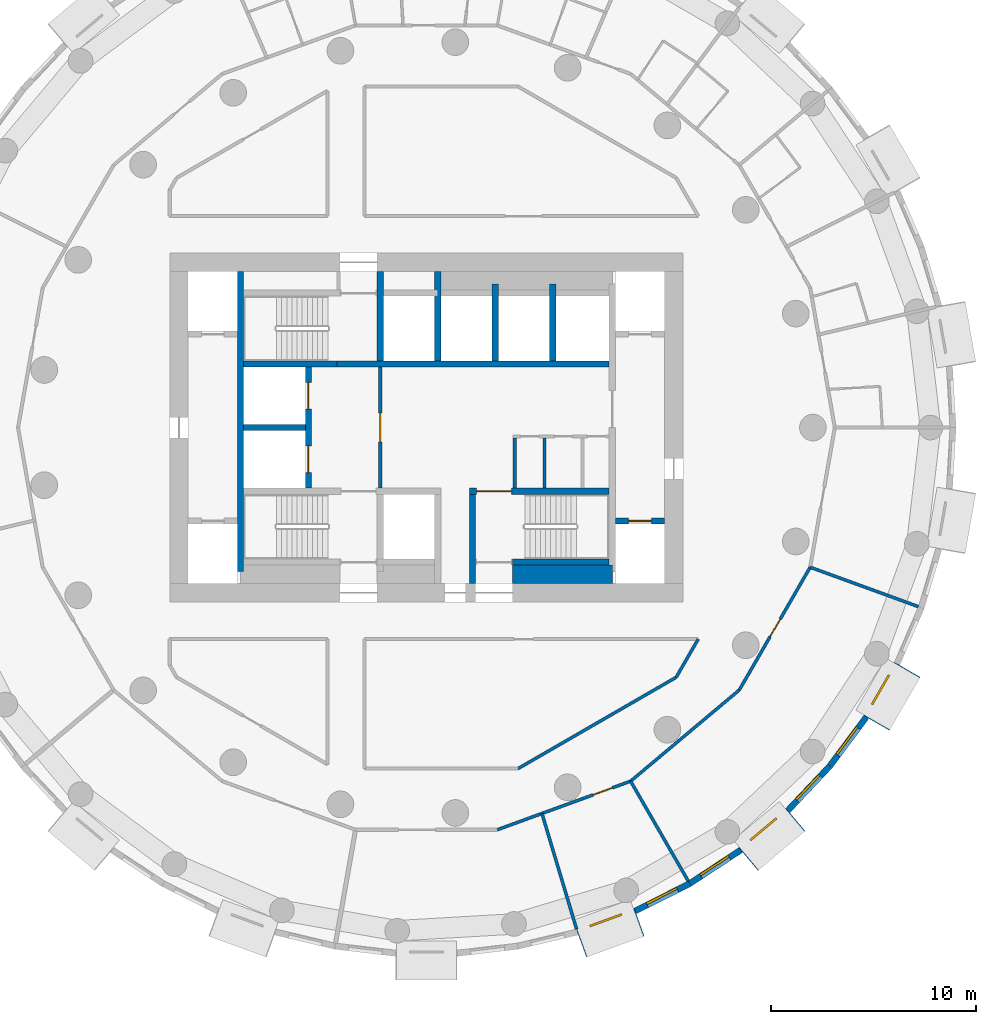
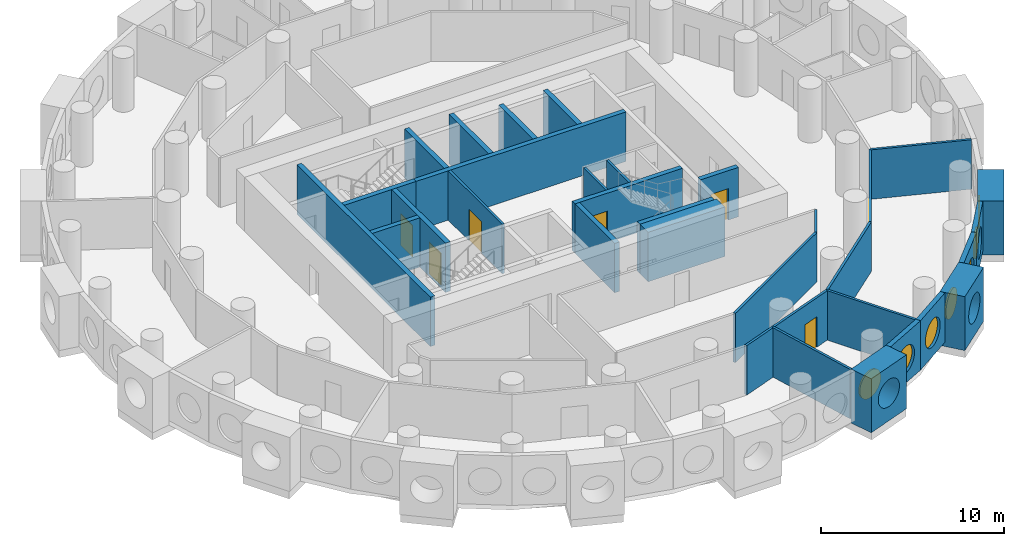
# One storey, part 4 of 10: 32 walls, 7 doors, 7 windows, 14 openings.
"""IFC4 building model written with IfcOpenShell, lengths in metres."""

import ifcopenshell
import ifcopenshell.guid

model = None  # the IFC model being written
_history = None  # IfcOwnerHistory: only IFC2X3 demands one
_inside = {}  # id of a spatial element -> (the spatial element, [elements in it])
_under = {}  # id of a project, library or spatial element -> (it, [spatial elements below it])
_declared = {}  # id of a project -> (the project, [libraries it declares])
_typed = {}  # id of a type object -> (the type object, [elements of that type])
_made_of = {}  # id of a material, layer set ... -> (it, [elements and type objects made of it])


def new_model(schema):
    """Start an empty IFC model of exactly this schema.

    Asked for "IFC4X3", IfcOpenShell would pick the latest addendum, in which some entities
    have other attributes; the version numbers below select the first issue.
    IFC2X3 requires an IfcOwnerHistory on every rooted entity: one is made here for all.
    """
    global model, _history
    if schema == "IFC4X3":
        model = ifcopenshell.file(schema_version=(4, 3, 0, 0))
    else:
        model = ifcopenshell.file(schema=schema)
    _inside.clear()
    _under.clear()
    _declared.clear()
    _typed.clear()
    _made_of.clear()
    _history = None
    if model.schema == "IFC2X3":
        org = make("IfcOrganization", Name="unknown")
        user = make(
            "IfcPersonAndOrganization",
            ThePerson=make("IfcPerson", FamilyName="unknown"),
            TheOrganization=org,
        )
        app = make(
            "IfcApplication",
            ApplicationDeveloper=org,
            Version="unknown",
            ApplicationFullName="unknown",
            ApplicationIdentifier="unknown",
        )
        _history = make(
            "IfcOwnerHistory",
            OwningUser=user,
            OwningApplication=app,
            ChangeAction="ADDED",
            CreationDate=0,
        )
    return model


def make(cls, **values):
    """One entity of the class cls with the attributes given. An attribute that is None is left unset."""
    return model.create_entity(
        cls, **{name: value for name, value in values.items() if value is not None}
    )


def rooted(cls, **values):
    """An entity with a GlobalId (a new one), such as an element, a storey or a relation."""
    return make(cls, GlobalId=ifcopenshell.guid.new(), OwnerHistory=_history, **values)


def si_unit(unit_type, name, prefix=None):
    """IfcSIUnit, for example si_unit("LENGTHUNIT", "METRE", prefix="MILLI")."""
    return make("IfcSIUnit", UnitType=unit_type, Prefix=prefix, Name=name)


def assignment(units):
    """IfcUnitAssignment: the units of a project."""
    return None if units is None else make("IfcUnitAssignment", Units=units)


def point(xyz):
    """IfcCartesianPoint."""
    return None if xyz is None else make("IfcCartesianPoint", Coordinates=xyz)


def direction(xyz):
    """IfcDirection."""
    return None if xyz is None else make("IfcDirection", DirectionRatios=xyz)


def frame(location, z_axis=None, x_axis=None):
    """IfcAxis2Placement3D, a coordinate frame: its origin and axes. An axis left out is left unset."""
    return make(
        "IfcAxis2Placement3D",
        Location=point(location),
        Axis=direction(z_axis),
        RefDirection=direction(x_axis),
    )


def frame_2d(location, x_axis=None):
    """IfcAxis2Placement2D, a coordinate frame in the plane: its origin and x axis."""
    return make(
        "IfcAxis2Placement2D", Location=point(location), RefDirection=direction(x_axis)
    )


def origin():
    """The frame at (0, 0, 0) with its axes left unset."""
    return frame((0.0, 0.0, 0.0))


def origin_2d():
    """The frame at (0, 0) in the plane with its x axis left unset."""
    return frame_2d((0.0, 0.0))


def place(relative_to, where):
    """IfcLocalPlacement: puts the frame where relative to a parent placement (None: the world)."""
    return make(
        "IfcLocalPlacement", PlacementRelTo=relative_to, RelativePlacement=where
    )


def context(
    kind, dimensions, precision=None, world=None, true_north=None, identifier=None
):
    """IfcGeometricRepresentationContext, for example the 3D "Model" context."""
    return make(
        "IfcGeometricRepresentationContext",
        ContextIdentifier=identifier,
        ContextType=kind,
        CoordinateSpaceDimension=dimensions,
        Precision=precision,
        WorldCoordinateSystem=world,
        TrueNorth=true_north,
    )


def subcontext(parent, identifier, kind, view, scale=None):
    """IfcGeometricRepresentationSubContext, for example "Body" below "Model"."""
    return make(
        "IfcGeometricRepresentationSubContext",
        ContextIdentifier=identifier,
        ContextType=kind,
        ParentContext=parent,
        TargetScale=scale,
        TargetView=view,
    )


def project(units=None, contexts=None):
    """IfcProject with its units and contexts."""
    return rooted(
        "IfcProject",
        Name="project",
        RepresentationContexts=contexts,
        UnitsInContext=assignment(units),
    )


def spatial(cls, under=None, at=None, **own):
    """A site, building, storey or space (cls), placed at a placement, below another one or the project."""
    s = rooted(cls, ObjectPlacement=at, **own)
    if under is not None:
        _under.setdefault(under.id(), (under, []))[1].append(s)
    return s


def profile(cls, at=None, kind="AREA", **sizes):
    """A parametric profile (cls). Its sizes go by their IFC names, for example OverallWidth=200.0."""
    return make(cls, ProfileType=kind, Position=at, **sizes)


def rectangle(**sizes):
    """IfcRectangleProfileDef."""
    return profile("IfcRectangleProfileDef", **sizes)


def circle(**sizes):
    """IfcCircleProfileDef."""
    return profile("IfcCircleProfileDef", **sizes)


def extrude(swept, where, along, depth):
    """IfcExtrudedAreaSolid: the profile swept, set in the frame where, extruded along a direction by depth."""
    return make(
        "IfcExtrudedAreaSolid",
        SweptArea=swept,
        Position=where,
        ExtrudedDirection=direction(along),
        Depth=depth,
    )


def shape(context_of_items, identifier, shape_type, items):
    """IfcShapeRepresentation: the items that make up one representation, for example the "Body"."""
    return make(
        "IfcShapeRepresentation",
        ContextOfItems=context_of_items,
        RepresentationIdentifier=identifier,
        RepresentationType=shape_type,
        Items=items,
    )


def material(Name=None, Category=None):
    """IfcMaterial."""
    return make("IfcMaterial", Name=Name, Category=Category)


def layer(
    of_material, thickness, ventilated=None, Name=None, Category=None, Priority=None
):
    """IfcMaterialLayer: one layer of a wall or slab, of a material (None: an air gap)."""
    return make(
        "IfcMaterialLayer",
        Material=of_material,
        LayerThickness=thickness,
        IsVentilated=ventilated,
        Name=Name,
        Category=Category,
        Priority=Priority,
    )


def layer_set(layers, Name=None):
    """IfcMaterialLayerSet."""
    return make("IfcMaterialLayerSet", MaterialLayers=layers, LayerSetName=Name)


def made_of(thing, what):
    """Note that an element or type object is made of a material, layer set ...; save() writes the relation."""
    if what is not None:
        _made_of.setdefault(what.id(), (what, []))[1].append(thing)
    return thing


def type_object(cls, material=None, **own):
    """A type object (cls), such as IfcWallType, which elements share."""
    return made_of(rooted(cls, **own), material)


def element(
    cls,
    number,
    at=None,
    inside=None,
    cuts=None,
    type_object=None,
    material=None,
    context=None,
    identifier="Body",
    shape_type=None,
    held_by="IfcProductDefinitionShape",
    body=None,
    shapes=None,
    **own,
):
    """One element of the class cls, such as IfcWall. Its Tag is "e" and its number.

    at: its placement. inside: the storey or other place that contains it. cuts: it is an
    opening in that element (IfcRelVoidsElement). A single representation is given by context,
    identifier, shape_type and body (its items); several are given by shapes. held_by: the class
    of the entity that holds the representations. save() writes the other relations.
    """
    e = rooted(cls, Tag="e%d" % number, ObjectPlacement=at, **own)
    if body is not None:
        shapes = [shape(context, identifier, shape_type, body)]
    if shapes is not None:
        e.Representation = make(held_by, Representations=shapes)
    if inside is not None:
        _inside.setdefault(inside.id(), (inside, []))[1].append(e)
    if cuts is not None:
        rooted(
            "IfcRelVoidsElement", RelatingBuildingElement=cuts, RelatedOpeningElement=e
        )
    if type_object is not None:
        _typed.setdefault(type_object.id(), (type_object, []))[1].append(e)
    return made_of(e, material)


def fill(opening, filler):
    """IfcRelFillsElement: the door or window that sits in an opening."""
    return rooted(
        "IfcRelFillsElement",
        RelatingOpeningElement=opening,
        RelatedBuildingElement=filler,
    )


def aggregate(whole, parts):
    """IfcRelAggregates: a whole, such as a stair, and the parts it consists of."""
    return rooted("IfcRelAggregates", RelatingObject=whole, RelatedObjects=parts)


def save(model, path):
    """Write the relations noted so far, then the file.

    IfcRelAggregates (storeys below a building ...), IfcRelContainedInSpatialStructure (elements
    in a storey), IfcRelDefinesByType, IfcRelAssociatesMaterial and IfcRelDeclares: one each for
    every whole, place, type object, material and project.
    """
    for whole, parts in _under.values():
        aggregate(whole, parts)
    for where, things in _inside.values():
        rooted(
            "IfcRelContainedInSpatialStructure",
            RelatedElements=things,
            RelatingStructure=where,
        )
    for kind, things in _typed.values():
        rooted("IfcRelDefinesByType", RelatedObjects=things, RelatingType=kind)
    for what, things in _made_of.values():
        rooted("IfcRelAssociatesMaterial", RelatedObjects=things, RelatingMaterial=what)
    for by, libraries in _declared.values():
        rooted("IfcRelDeclares", RelatingContext=by, RelatedDefinitions=libraries)
    model.write(path)


model = new_model("IFC4")

# Units and contexts
model_context = context("Model", 3, precision=1e-05, world=origin(), true_north=direction((0.0, 1.0)))
body_context = subcontext(model_context, "Body", "Model", "MODEL_VIEW")
ifc_project = project(units=[si_unit("LENGTHUNIT", "METRE"), si_unit("AREAUNIT", "SQUARE_METRE"), si_unit("VOLUMEUNIT", "CUBIC_METRE"), si_unit("PLANEANGLEUNIT", "RADIAN"), si_unit("MASSUNIT", "GRAM", prefix="KILO")], contexts=[model_context])

# Site, building, storey
site_placement = place(None, origin())
site = spatial("IfcSite", under=ifc_project, at=site_placement, CompositionType="ELEMENT")
building_placement = place(site_placement, origin())
building = spatial("IfcBuilding", under=site, at=building_placement, Name="Tracery Tower", CompositionType="ELEMENT")
storey_placement = place(building_placement, frame((0.0, 0.0, 158.39990234375)))
storey = spatial("IfcBuildingStorey", under=building, at=storey_placement, Name="L40", CompositionType="ELEMENT", Elevation=158.39990234375)

# Wall, opening, door
ifc_material_1 = material(Name="Plasterboard on steel studs", Category="steel")
ifc_layer_1 = layer(ifc_material_1, 0.14990234375)
ifc_layer_set_1 = layer_set([ifc_layer_1], Name="Core lobby partition 150")
wall_type_1 = type_object("IfcWallType", Name="Core lobby partition 150", PredefinedType="SOLIDWALL", material=ifc_layer_set_1)
wall_1_placement = place(storey_placement, frame((-2.25, -2.949951171875, 0.0), z_axis=(0.0, 0.0, 1.0), x_axis=(0.0, 1.0, 0.0)))
wall_1 = element("IfcWall", 1, at=wall_1_placement, inside=storey, type_object=wall_type_1, Name="L40 FF lobby E", PredefinedType="SOLIDWALL", context=body_context, shape_type="SweptSolid", body=[
    extrude(rectangle(XDim=5.89990234375, YDim=0.14990234375, at=frame_2d((2.949951171875, 0.0))), origin(), (0.0, 0.0, 1.0), 3.300048828125),
])
opening_1_placement = place(wall_1_placement, frame((2.25, 0.0, 0.0)))
opening_1 = element("IfcOpeningElement", 2, at=opening_1_placement, cuts=wall_1, Name="Opening KD8", PredefinedType="OPENING", context=body_context, shape_type="SweptSolid", body=[
    extrude(rectangle(XDim=1.39990234375, YDim=2.10009765625, at=frame_2d((0.699951171875, 1.050048828125))), frame((0.0, 0.074951171875, 0.0), z_axis=(0.0, -1.0, 0.0), x_axis=(1.0, 0.0, 0.0)), (0.0, 0.0, 1.0), 0.14990234375),
])
ifc_material_2 = material(Name="Steel fire door", Category="steel")
door_type_1 = type_object("IfcDoorType", Name="Core lobby door 1400 double", OperationType="NOTDEFINED", PredefinedType="DOOR", material=ifc_material_2)
door_1_placement = place(opening_1_placement, origin())
door_1 = element("IfcDoor", 3, at=door_1_placement, inside=storey, type_object=door_type_1, Name="Fire-fighting lobby door", OperationType="DOUBLE_DOOR_SINGLE_SWING", OverallHeight=2.10009765625, OverallWidth=1.39990234375, PredefinedType="DOOR", context=body_context, shape_type="SweptSolid", body=[
    extrude(rectangle(XDim=1.39990234375, YDim=2.10009765625, at=frame_2d((0.699951171875, 1.050048828125))), frame((0.0, 0.02490234375, 0.0), z_axis=(0.0, -1.0, 0.0), x_axis=(1.0, 0.0, 0.0)), (0.0, 0.0, 1.0), 0.050048828125),
])
fill(opening_1, door_1)

# Walls
ifc_material_3 = material(Name="Plasterboard on steel studs", Category="steel")
ifc_layer_2 = layer(ifc_material_3, 0.14990234375)
ifc_layer_set_2 = layer_set([ifc_layer_2], Name="Core room partition 150")
wall_type_2 = type_object("IfcWallType", Name="Core room partition 150", PredefinedType="SOLIDWALL", material=ifc_layer_set_2)
for number, where, z_axis, x_axis, name in (
    (4, (4.300048828125, -2.949951171875, 0.0), (0.0, 0.0, 1.0), (0.0, 1.0, 0.0), "L40 slot W"),
    (5, (5.75, -2.949951171875, 0.0), (0.0, 0.0, 1.0), (0.0, 1.0, 0.0), "L40 slot sep 1"),
):
    element("IfcWall", number, at=place(storey_placement, frame(where, z_axis=z_axis, x_axis=x_axis)), inside=storey, type_object=wall_type_2, Name=name, PredefinedType="SOLIDWALL", context=body_context, shape_type="SweptSolid", body=[
        extrude(rectangle(XDim=2.449951171875, YDim=0.14990234375, at=frame_2d((1.22509765625, 0.0))), origin(), (0.0, 0.0, 1.0), 3.300048828125),
    ])
ifc_material_4 = material(Name="Concrete C50/60", Category="concrete")
ifc_layer_3 = layer(ifc_material_4, 0.89990234375)
ifc_layer_set_3 = layer_set([ifc_layer_3], Name="Core strip wall 900 C50")
wall_type_3 = type_object("IfcWallType", Name="Core strip wall 900 C50", PredefinedType="SOLIDWALL", material=ifc_layer_set_3)
wall_2_placement = place(storey_placement, frame((4.199951171875, -7.14990234375, 0.0), z_axis=(0.0, 0.0, 1.0), x_axis=(1.0, 0.0, 0.0)))
element("IfcWall", 6, at=wall_2_placement, inside=storey, type_object=wall_type_3, Name="L40 F thick S E", PredefinedType="SOLIDWALL", context=body_context, shape_type="SweptSolid", body=[
    extrude(rectangle(XDim=4.85009765625, YDim=0.89990234375, at=frame_2d((2.425048828125, 0.0))), origin(), (0.0, 0.0, 1.0), 3.300048828125),
])

# Wall, opening, window
ifc_material_5 = material(Name="Precast concrete C50/60", Category="concrete")
ifc_layer_4 = layer(ifc_material_5, 1.449951171875)
ifc_layer_set_4 = layer_set([ifc_layer_4], Name="Deep-set bay unit 3000 x 3600, slab edge 300")
wall_type_4 = type_object("IfcWallType", Name="Deep-set bay unit 3000 x 3600, slab edge 300", PredefinedType="ELEMENTEDWALL", material=ifc_layer_set_4)
wall_3_placement = place(storey_placement, frame((7.544189453125, -25.11328125, -0.2998046875), z_axis=(0.0, 0.0, 1.0), x_axis=(0.939686455819, 0.342037080957, 0.0)))
wall_3 = element("IfcWall", 7, at=wall_3_placement, inside=storey, type_object=wall_type_4, Name="Deep-set bay unit 44 at L40", PredefinedType="ELEMENTEDWALL", context=body_context, shape_type="SweptSolid", body=[
    extrude(rectangle(XDim=3.0, YDim=1.449951171875, at=frame_2d((1.5, 0.0))), origin(), (0.0, 0.0, 1.0), 3.599853515625),
])
opening_2_placement = place(wall_3_placement, frame((1.5, 0.0, 1.85009765625)))
opening_2 = element("IfcOpeningElement", 8, at=opening_2_placement, cuts=wall_3, Name="Opening WN1", PredefinedType="OPENING", context=body_context, shape_type="SweptSolid", body=[
    extrude(circle(Radius=0.9000244140625, at=origin_2d()), frame((0.0, 0.73486328125, 0.0), z_axis=(0.0, -1.0, 0.0), x_axis=(1.0, 0.0, 0.0)), (0.0, 0.0, 1.0), 1.469970703125),
])
ifc_material_6 = material(Name="Aluminium frame with tinted double glazing", Category="aluminium")
window_type = type_object("IfcWindowType", Name="Round window 1800", PartitioningType="SINGLE_PANEL", PredefinedType="WINDOW", material=ifc_material_6)
window_1_placement = place(opening_2_placement, origin())
window_1 = element("IfcWindow", 9, at=window_1_placement, inside=storey, type_object=window_type, Name="Round window 44 at L40", OverallHeight=1.800048828125, OverallWidth=1.800048828125, PartitioningType="SINGLE_PANEL", PredefinedType="WINDOW", context=body_context, shape_type="SweptSolid", body=[
    extrude(circle(Radius=0.9000244140625, at=origin_2d()), frame((0.0, 0.69482421875, 0.0), z_axis=(0.0, -1.0, 0.0), x_axis=(1.0, 0.0, 0.0)), (0.0, 0.0, 1.0), 0.10009765625),
])
fill(opening_2, window_1)

wall_4_placement = place(storey_placement, frame((15.678466796875, -21.0185546875, -0.2998046875), z_axis=(0.0, 0.0, 1.0), x_axis=(0.766022196139, 0.642814121673, 0.0)))
wall_4 = element("IfcWall", 10, at=wall_4_placement, inside=storey, type_object=wall_type_4, Name="Deep-set bay unit 47 at L40", PredefinedType="ELEMENTEDWALL", context=body_context, shape_type="SweptSolid", body=[
    extrude(rectangle(XDim=3.0, YDim=1.449951171875, at=frame_2d((1.5, 0.0))), origin(), (0.0, 0.0, 1.0), 3.599853515625),
])
opening_3_placement = place(wall_4_placement, frame((1.5, 0.0, 1.85009765625)))
opening_3 = element("IfcOpeningElement", 11, at=opening_3_placement, cuts=wall_4, Name="Opening WN1", PredefinedType="OPENING", context=body_context, shape_type="SweptSolid", body=[
    extrude(circle(Radius=0.9000244140625, at=origin_2d()), frame((0.0, 0.73486328125, 0.0), z_axis=(0.0, -1.0, 0.0), x_axis=(1.0, 0.0, 0.0)), (0.0, 0.0, 1.0), 1.469970703125),
])
window_2_placement = place(opening_3_placement, origin())
window_2 = element("IfcWindow", 12, at=window_2_placement, inside=storey, type_object=window_type, Name="Round window 47 at L40", OverallHeight=1.800048828125, OverallWidth=1.800048828125, PartitioningType="SINGLE_PANEL", PredefinedType="WINDOW", context=body_context, shape_type="SweptSolid", body=[
    extrude(circle(Radius=0.9000244140625, at=origin_2d()), frame((0.0, 0.69482421875, 0.0), z_axis=(0.0, -1.0, 0.0), x_axis=(1.0, 0.0, 0.0)), (0.0, 0.0, 1.0), 0.10009765625),
])
fill(opening_3, window_2)

wall_5_placement = place(storey_placement, frame((21.921630859375, -14.388671875, -0.2998046875), z_axis=(0.0, 0.0, 1.0), x_axis=(0.499990139034, 0.866031096941, 0.0)))
wall_5 = element("IfcWall", 13, at=wall_5_placement, inside=storey, type_object=wall_type_4, Name="Deep-set bay unit 50 at L40", PredefinedType="ELEMENTEDWALL", context=body_context, shape_type="SweptSolid", body=[
    extrude(rectangle(XDim=3.0, YDim=1.449951171875, at=frame_2d((1.5, 0.0))), origin(), (0.0, 0.0, 1.0), 3.599853515625),
])
opening_4_placement = place(wall_5_placement, frame((1.5, 0.0, 1.85009765625)))
opening_4 = element("IfcOpeningElement", 14, at=opening_4_placement, cuts=wall_5, Name="Opening WN1", PredefinedType="OPENING", context=body_context, shape_type="SweptSolid", body=[
    extrude(circle(Radius=0.9000244140625, at=origin_2d()), frame((0.0, 0.73486328125, 0.0), z_axis=(0.0, -1.0, 0.0), x_axis=(1.0, 0.0, 0.0)), (0.0, 0.0, 1.0), 1.469970703125),
])
window_3_placement = place(opening_4_placement, origin())
window_3 = element("IfcWindow", 15, at=window_3_placement, inside=storey, type_object=window_type, Name="Round window 50 at L40", OverallHeight=1.800048828125, OverallWidth=1.800048828125, PartitioningType="SINGLE_PANEL", PredefinedType="WINDOW", context=body_context, shape_type="SweptSolid", body=[
    extrude(circle(Radius=0.9000244140625, at=origin_2d()), frame((0.0, 0.69482421875, 0.0), z_axis=(0.0, -1.0, 0.0), x_axis=(1.0, 0.0, 0.0)), (0.0, 0.0, 1.0), 0.10009765625),
])
fill(opening_4, window_3)

ifc_material_7 = material(Name="Precast concrete C50/60", Category="concrete")
ifc_layer_5 = layer(ifc_material_7, 0.300048828125)
ifc_layer_set_5 = layer_set([ifc_layer_5], Name="Facade panel 3000 x 3300")
wall_type_5 = type_object("IfcWallType", Name="Facade panel 3000 x 3300", PredefinedType="SOLIDWALL", material=ifc_layer_set_5)
wall_6_placement = place(storey_placement, frame((10.1669921875, -23.545654296875, 0.0), z_axis=(0.0, 0.0, 1.0), x_axis=(0.893637442555, 0.448789618045, 0.0)))
wall_6 = element("IfcWall", 16, at=wall_6_placement, inside=storey, type_object=wall_type_5, Name="Facade panel 45 at L40", PredefinedType="SOLIDWALL", context=body_context, shape_type="SweptSolid", body=[
    extrude(rectangle(XDim=2.972900390625, YDim=0.300048828125, at=frame_2d((1.486328125, 0.0))), origin(), (0.0, 0.0, 1.0), 3.300048828125),
])
opening_5_placement = place(wall_6_placement, frame((1.486328125, 0.0, 1.5498046875)))
opening_5 = element("IfcOpeningElement", 17, at=opening_5_placement, cuts=wall_6, Name="Opening WN1", PredefinedType="OPENING", context=body_context, shape_type="SweptSolid", body=[
    extrude(circle(Radius=0.9000244140625, at=origin_2d()), frame((0.0, 0.159912109375, 0.0), z_axis=(0.0, -1.0, 0.0), x_axis=(1.0, 0.0, 0.0)), (0.0, 0.0, 1.0), 0.320068359375),
])
window_4_placement = place(opening_5_placement, origin())
window_4 = element("IfcWindow", 18, at=window_4_placement, inside=storey, type_object=window_type, Name="Round window 45 at L40", OverallHeight=1.800048828125, OverallWidth=1.800048828125, PartitioningType="SINGLE_PANEL", PredefinedType="WINDOW", context=body_context, shape_type="SweptSolid", body=[
    extrude(circle(Radius=0.9000244140625, at=origin_2d()), frame((0.0, 0.1201171875, 0.0), z_axis=(0.0, -1.0, 0.0), x_axis=(1.0, 0.0, 0.0)), (0.0, 0.0, 1.0), 0.10009765625),
])
fill(opening_5, window_4)

wall_7_placement = place(storey_placement, frame((12.82373046875, -22.21142578125, 0.0), z_axis=(0.0, 0.0, 1.0), x_axis=(0.835470659512, 0.549535055382, 0.0)))
wall_7 = element("IfcWall", 19, at=wall_7_placement, inside=storey, type_object=wall_type_5, Name="Facade panel 46 at L40", PredefinedType="SOLIDWALL", context=body_context, shape_type="SweptSolid", body=[
    extrude(rectangle(XDim=2.97314453125, YDim=0.300048828125, at=frame_2d((1.486572265625, 0.0))), origin(), (0.0, 0.0, 1.0), 3.300048828125),
])
opening_6_placement = place(wall_7_placement, frame((1.486328125, 0.0, 1.5498046875)))
opening_6 = element("IfcOpeningElement", 20, at=opening_6_placement, cuts=wall_7, Name="Opening WN1", PredefinedType="OPENING", context=body_context, shape_type="SweptSolid", body=[
    extrude(circle(Radius=0.9000244140625, at=origin_2d()), frame((0.0, 0.159912109375, 0.0), z_axis=(0.0, -1.0, 0.0), x_axis=(1.0, 0.0, 0.0)), (0.0, 0.0, 1.0), 0.320068359375),
])
window_5_placement = place(opening_6_placement, origin())
window_5 = element("IfcWindow", 21, at=window_5_placement, inside=storey, type_object=window_type, Name="Round window 46 at L40", OverallHeight=1.800048828125, OverallWidth=1.800048828125, PartitioningType="SINGLE_PANEL", PredefinedType="WINDOW", context=body_context, shape_type="SweptSolid", body=[
    extrude(circle(Radius=0.9000244140625, at=origin_2d()), frame((0.0, 0.1201171875, 0.0), z_axis=(0.0, -1.0, 0.0), x_axis=(1.0, 0.0, 0.0)), (0.0, 0.0, 1.0), 0.10009765625),
])
fill(opening_6, window_5)

wall_8_placement = place(storey_placement, frame((17.60693359375, -18.648193359375, 0.0), z_axis=(0.0, 0.0, 1.0), x_axis=(0.686235184166, 0.727379730273, 0.0)))
wall_8 = element("IfcWall", 22, at=wall_8_placement, inside=storey, type_object=wall_type_5, Name="Facade panel 48 at L40", PredefinedType="SOLIDWALL", context=body_context, shape_type="SweptSolid", body=[
    extrude(rectangle(XDim=2.972900390625, YDim=0.300048828125, at=frame_2d((1.486328125, 0.0))), origin(), (0.0, 0.0, 1.0), 3.300048828125),
])
opening_7_placement = place(wall_8_placement, frame((1.486328125, 0.0, 1.5498046875)))
opening_7 = element("IfcOpeningElement", 23, at=opening_7_placement, cuts=wall_8, Name="Opening WN1", PredefinedType="OPENING", context=body_context, shape_type="SweptSolid", body=[
    extrude(circle(Radius=0.9000244140625, at=origin_2d()), frame((0.0, 0.159912109375, 0.0), z_axis=(0.0, -1.0, 0.0), x_axis=(1.0, 0.0, 0.0)), (0.0, 0.0, 1.0), 0.320068359375),
])
window_6_placement = place(opening_7_placement, origin())
window_6 = element("IfcWindow", 24, at=window_6_placement, inside=storey, type_object=window_type, Name="Round window 48 at L40", OverallHeight=1.800048828125, OverallWidth=1.800048828125, PartitioningType="SINGLE_PANEL", PredefinedType="WINDOW", context=body_context, shape_type="SweptSolid", body=[
    extrude(circle(Radius=0.9000244140625, at=origin_2d()), frame((0.0, 0.1201171875, 0.0), z_axis=(0.0, -1.0, 0.0), x_axis=(1.0, 0.0, 0.0)), (0.0, 0.0, 1.0), 0.10009765625),
])
fill(opening_7, window_6)

wall_9_placement = place(storey_placement, frame((19.64697265625, -16.48583984375, 0.0), z_axis=(0.0, 0.0, 1.0), x_axis=(0.597197580538, 0.80209416517, 0.0)))
wall_9 = element("IfcWall", 25, at=wall_9_placement, inside=storey, type_object=wall_type_5, Name="Facade panel 49 at L40", PredefinedType="SOLIDWALL", context=body_context, shape_type="SweptSolid", body=[
    extrude(rectangle(XDim=2.972900390625, YDim=0.300048828125, at=frame_2d((1.486328125, 0.0))), origin(), (0.0, 0.0, 1.0), 3.300048828125),
])
opening_8_placement = place(wall_9_placement, frame((1.486328125, 0.0, 1.5498046875)))
opening_8 = element("IfcOpeningElement", 26, at=opening_8_placement, cuts=wall_9, Name="Opening WN1", PredefinedType="OPENING", context=body_context, shape_type="SweptSolid", body=[
    extrude(circle(Radius=0.9000244140625, at=origin_2d()), frame((0.0, 0.159912109375, 0.0), z_axis=(0.0, -1.0, 0.0), x_axis=(1.0, 0.0, 0.0)), (0.0, 0.0, 1.0), 0.320068359375),
])
window_7_placement = place(opening_8_placement, origin())
window_7 = element("IfcWindow", 27, at=window_7_placement, inside=storey, type_object=window_type, Name="Round window 49 at L40", OverallHeight=1.800048828125, OverallWidth=1.800048828125, PartitioningType="SINGLE_PANEL", PredefinedType="WINDOW", context=body_context, shape_type="SweptSolid", body=[
    extrude(circle(Radius=0.9000244140625, at=origin_2d()), frame((0.0, 0.1201171875, 0.0), z_axis=(0.0, -1.0, 0.0), x_axis=(1.0, 0.0, 0.0)), (0.0, 0.0, 1.0), 0.10009765625),
])
fill(opening_8, window_7)

# Walls
ifc_material_8 = material(Name="Plasterboard on steel studs", Category="steel")
ifc_layer_6 = layer(ifc_material_8, 0.14990234375)
ifc_layer_set_6 = layer_set([ifc_layer_6], Name="Partition 150 acoustic unit wall")
wall_type_6 = type_object("IfcWallType", Name="Partition 150 acoustic unit wall", PredefinedType="PARTITIONING", material=ifc_layer_set_6)
wall_10_placement = place(storey_placement, frame((5.626953125, -18.794921875, 0.0), z_axis=(0.0, 0.0, 1.0), x_axis=(0.286833432865, -0.957980470464, 0.0)))
element("IfcWall", 28, at=wall_10_placement, inside=storey, type_object=wall_type_6, Name="Unit wall RB4-073", PredefinedType="PARTITIONING", context=body_context, shape_type="SweptSolid", body=[
    extrude(rectangle(XDim=5.878173828125, YDim=0.14990234375, at=frame_2d((2.93896484375, 0.0))), origin(), (0.0, 0.0, 1.0), 3.300048828125),
])
wall_11_placement = place(storey_placement, frame((9.944091796875, -17.222900390625, 0.0), z_axis=(0.0, 0.0, 1.0), x_axis=(0.500010020406, -0.866019618423, 0.0)))
element("IfcWall", 29, at=wall_11_placement, inside=storey, type_object=wall_type_6, Name="Unit wall RB4-074", PredefinedType="PARTITIONING", context=body_context, shape_type="SweptSolid", body=[
    extrude(rectangle(XDim=5.60986328125, YDim=0.14990234375, at=frame_2d((2.804931640625, 0.0))), origin(), (0.0, 0.0, 1.0), 3.300048828125),
])
wall_12_placement = place(storey_placement, frame((18.68798828125, -6.802001953125, 0.0), z_axis=(0.0, 0.0, 1.0), x_axis=(0.939686652043, -0.342036541866, 0.0)))
element("IfcWall", 30, at=wall_12_placement, inside=storey, type_object=wall_type_6, Name="Unit wall RB4-075", PredefinedType="PARTITIONING", context=body_context, shape_type="SweptSolid", body=[
    extrude(rectangle(XDim=5.6103515625, YDim=0.14990234375, at=frame_2d((2.80517578125, 0.0))), origin(), (0.0, 0.0, 1.0), 3.300048828125),
])
ifc_material_9 = material(Name="Plasterboard on steel studs", Category="steel")
ifc_layer_7 = layer(ifc_material_9, 0.14990234375)
ifc_layer_set_7 = layer_set([ifc_layer_7], Name="Partition 150 corridor wall")
wall_type_7 = type_object("IfcWallType", Name="Partition 150 corridor wall", PredefinedType="PARTITIONING", material=ifc_layer_set_7)
wall_13_placement = place(storey_placement, frame((12.162109375, -12.162109375, 0.0), z_axis=(0.0, 0.0, 1.0), x_axis=(0.499961633463, 0.866047553582, 0.0)))
element("IfcWall", 31, at=wall_13_placement, inside=storey, type_object=wall_type_7, Name="Corridor wall RB4-006", PredefinedType="PARTITIONING", context=body_context, shape_type="SweptSolid", body=[
    extrude(rectangle(XDim=2.150146484375, YDim=0.14990234375, at=frame_2d((1.0751953125, 0.0))), origin(), (0.0, 0.0, 1.0), 3.300048828125),
])

# Wall, opening, door
wall_14_placement = place(storey_placement, frame((15.235107421875, -12.783935546875, 0.0), z_axis=(0.0, 0.0, 1.0), x_axis=(0.499914202267, 0.866074933462, 0.0)))
wall_14 = element("IfcWall", 32, at=wall_14_placement, inside=storey, type_object=wall_type_7, Name="Corridor wall RB4-010", PredefinedType="PARTITIONING", context=body_context, shape_type="SweptSolid", body=[
    extrude(rectangle(XDim=6.906982421875, YDim=0.14990234375, at=frame_2d((3.45361328125, 0.0))), origin(), (0.0, 0.0, 1.0), 3.300048828125),
])
opening_9_placement = place(wall_14_placement, frame((3.003173828125, 0.0, 0.0)))
opening_9 = element("IfcOpeningElement", 33, at=opening_9_placement, cuts=wall_14, Name="Opening RB4-28", PredefinedType="OPENING", context=body_context, shape_type="SweptSolid", body=[
    extrude(rectangle(XDim=1.0, YDim=2.0400390625, at=frame_2d((0.5, 1.02001953125))), frame((0.0, 0.074951171875, 0.0), z_axis=(0.0, -1.0, 0.0), x_axis=(1.0, 0.0, 0.0)), (0.0, 0.0, 1.0), 0.14990234375),
])
ifc_material_10 = material(Name="Timber door leaf", Category="wood")
door_type_2 = type_object("IfcDoorType", Name="Door communal room 1000", OperationType="NOTDEFINED", PredefinedType="DOOR", material=ifc_material_10)
door_2_placement = place(opening_9_placement, origin())
door_2 = element("IfcDoor", 34, at=door_2_placement, inside=storey, type_object=door_type_2, Name="Communal room door RB4-28", OperationType="SINGLE_SWING_LEFT", OverallHeight=2.0400390625, OverallWidth=1.0, PredefinedType="DOOR", context=body_context, shape_type="SweptSolid", body=[
    extrude(rectangle(XDim=1.0, YDim=2.0400390625, at=frame_2d((0.5, 1.02001953125))), frame((0.0, 0.02490234375, 0.0), z_axis=(0.0, -1.0, 0.0), x_axis=(1.0, 0.0, 0.0)), (0.0, 0.0, 1.0), 0.050048828125),
])
fill(opening_9, door_2)

# Walls
wall_15_placement = place(storey_placement, frame((9.943359375, -17.22216796875, 0.0), z_axis=(0.0, 0.0, 1.0), x_axis=(0.766192104565, 0.642611592567, 0.0)))
element("IfcWall", 35, at=wall_15_placement, inside=storey, type_object=wall_type_7, Name="Corridor wall RB4-011", PredefinedType="PARTITIONING", context=body_context, shape_type="SweptSolid", body=[
    extrude(rectangle(XDim=6.906494140625, YDim=0.14990234375, at=frame_2d((3.453125, 0.0))), origin(), (0.0, 0.0, 1.0), 3.300048828125),
])
wall_16_placement = place(storey_placement, frame((4.451904296875, -16.614013671875, 0.0), z_axis=(0.0, 0.0, 1.0), x_axis=(0.866005203721, 0.500034985904, 0.0)))
element("IfcWall", 36, at=wall_16_placement, inside=storey, type_object=wall_type_7, Name="Corridor wall RB4-035", PredefinedType="PARTITIONING", context=body_context, shape_type="SweptSolid", body=[
    extrude(rectangle(XDim=8.903076171875, YDim=0.14990234375, at=frame_2d((4.45166015625, 0.0))), origin(), (0.0, 0.0, 1.0), 3.300048828125),
])

# Wall, opening, door
wall_17_placement = place(storey_placement, frame((3.452880859375, -19.5859375, 0.0), z_axis=(0.0, 0.0, 1.0), x_axis=(0.939607544688, 0.342253797591, 0.0)))
wall_17 = element("IfcWall", 37, at=wall_17_placement, inside=storey, type_object=wall_type_7, Name="Corridor wall RB4-037", PredefinedType="PARTITIONING", context=body_context, shape_type="SweptSolid", body=[
    extrude(rectangle(XDim=6.907958984375, YDim=0.14990234375, at=frame_2d((3.4541015625, 0.0))), origin(), (0.0, 0.0, 1.0), 3.300048828125),
])
opening_10_placement = place(wall_17_placement, frame((4.958740234375, 0.0, 0.0)))
opening_10 = element("IfcOpeningElement", 38, at=opening_10_placement, cuts=wall_17, Name="Opening RB4-27", PredefinedType="OPENING", context=body_context, shape_type="SweptSolid", body=[
    extrude(rectangle(XDim=1.0, YDim=2.0400390625, at=frame_2d((0.5, 1.02001953125))), frame((0.0, 0.074951171875, 0.0), z_axis=(0.0, -1.0, 0.0), x_axis=(1.0, 0.0, 0.0)), (0.0, 0.0, 1.0), 0.14990234375),
])
door_3_placement = place(opening_10_placement, origin())
door_3 = element("IfcDoor", 39, at=door_3_placement, inside=storey, type_object=door_type_2, Name="Communal room door RB4-27", OperationType="SINGLE_SWING_LEFT", OverallHeight=2.0400390625, OverallWidth=1.0, PredefinedType="DOOR", context=body_context, shape_type="SweptSolid", body=[
    extrude(rectangle(XDim=1.0, YDim=2.0400390625, at=frame_2d((0.5, 1.02001953125))), frame((0.0, 0.02490234375, 0.0), z_axis=(0.0, -1.0, 0.0), x_axis=(1.0, 0.0, 0.0)), (0.0, 0.0, 1.0), 0.050048828125),
])
fill(opening_10, door_3)

# Wall
ifc_material_11 = material(Name="Concrete C50/60", Category="concrete")
ifc_layer_8 = layer(ifc_material_11, 0.300048828125)
ifc_layer_set_8 = layer_set([ifc_layer_8], Name="Shaft wall 300 C50")
wall_type_8 = type_object("IfcWallType", Name="Shaft wall 300 C50", PredefinedType="SOLIDWALL", material=ifc_layer_set_8)
wall_18_placement = place(storey_placement, frame((-8.89990234375, 0.0, 0.0), z_axis=(0.0, 0.0, 1.0), x_axis=(1.0, 0.0, 0.0)))
element("IfcWall", 40, at=wall_18_placement, inside=storey, type_object=wall_type_8, Name="L40 FF split", PredefinedType="SOLIDWALL", context=body_context, shape_type="SweptSolid", body=[
    extrude(rectangle(XDim=3.0, YDim=0.300048828125, at=frame_2d((1.5, 0.0))), origin(), (0.0, 0.0, 1.0), 3.300048828125),
])

# Wall, openings, doors
wall_19_placement = place(storey_placement, frame((-5.75, -2.949951171875, 0.0), z_axis=(0.0, 0.0, 1.0), x_axis=(0.0, 1.0, 0.0)))
wall_19 = element("IfcWall", 41, at=wall_19_placement, inside=storey, type_object=wall_type_8, Name="L40 FF doors", PredefinedType="SOLIDWALL", context=body_context, shape_type="SweptSolid", body=[
    extrude(rectangle(XDim=5.89990234375, YDim=0.300048828125, at=frame_2d((2.949951171875, 0.0))), origin(), (0.0, 0.0, 1.0), 3.300048828125),
])
opening_11_placement = place(wall_19_placement, frame((0.75, 0.0, 0.0)))
opening_11 = element("IfcOpeningElement", 42, at=opening_11_placement, cuts=wall_19, Name="Opening KD54", PredefinedType="OPENING", context=body_context, shape_type="SweptSolid", body=[
    extrude(rectangle(XDim=1.300048828125, YDim=2.10009765625, at=frame_2d((0.64990234375, 1.050048828125))), frame((0.0, 0.14990234375, 0.0), z_axis=(0.0, -1.0, 0.0), x_axis=(1.0, 0.0, 0.0)), (0.0, 0.0, 1.0), 0.300048828125),
])
opening_12_placement = place(wall_19_placement, frame((3.85009765625, 0.0, 0.0)))
opening_12 = element("IfcOpeningElement", 43, at=opening_12_placement, cuts=wall_19, Name="Opening KD55", PredefinedType="OPENING", context=body_context, shape_type="SweptSolid", body=[
    extrude(rectangle(XDim=1.300048828125, YDim=2.10009765625, at=frame_2d((0.64990234375, 1.050048828125))), frame((0.0, 0.14990234375, 0.0), z_axis=(0.0, -1.0, 0.0), x_axis=(1.0, 0.0, 0.0)), (0.0, 0.0, 1.0), 0.300048828125),
])
ifc_material_12 = material(Name="Steel fire door", Category="steel")
door_type_3 = type_object("IfcDoorType", Name="Landing door FF 1300", OperationType="NOTDEFINED", PredefinedType="DOOR", material=ifc_material_12)
door_4_placement = place(opening_11_placement, origin())
door_4 = element("IfcDoor", 44, at=door_4_placement, inside=storey, type_object=door_type_3, Name="Landing door FF1", OperationType="SLIDING_TO_LEFT", OverallHeight=2.10009765625, OverallWidth=1.300048828125, PredefinedType="DOOR", context=body_context, shape_type="SweptSolid", body=[
    extrude(rectangle(XDim=1.300048828125, YDim=2.10009765625, at=frame_2d((0.64990234375, 1.050048828125))), frame((0.0, 0.02490234375, 0.0), z_axis=(0.0, -1.0, 0.0), x_axis=(1.0, 0.0, 0.0)), (0.0, 0.0, 1.0), 0.050048828125),
])
fill(opening_11, door_4)
door_5_placement = place(opening_12_placement, origin())
door_5 = element("IfcDoor", 45, at=door_5_placement, inside=storey, type_object=door_type_3, Name="Landing door FF2", OperationType="SLIDING_TO_RIGHT", OverallHeight=2.10009765625, OverallWidth=1.300048828125, PredefinedType="DOOR", context=body_context, shape_type="SweptSolid", body=[
    extrude(rectangle(XDim=1.300048828125, YDim=2.10009765625, at=frame_2d((0.64990234375, 1.050048828125))), frame((0.0, 0.02490234375, 0.0), z_axis=(0.0, -1.0, 0.0), x_axis=(1.0, 0.0, 0.0)), (0.0, 0.0, 1.0), 0.050048828125),
])
fill(opening_12, door_5)

# Walls
wall_20_placement = place(storey_placement, frame((0.550048828125, 3.25, 0.0), z_axis=(0.0, 0.0, 1.0), x_axis=(0.0, 1.0, 0.0)))
element("IfcWall", 46, at=wall_20_placement, inside=storey, type_object=wall_type_8, Name="L40 HR sep 1", PredefinedType="SOLIDWALL", context=body_context, shape_type="SweptSolid", body=[
    extrude(rectangle(XDim=4.35009765625, YDim=0.300048828125, at=frame_2d((2.175048828125, 0.0))), origin(), (0.0, 0.0, 1.0), 3.300048828125),
])
for number, where, z_axis, x_axis, name in (
    (47, (3.35009765625, 3.25, 0.0), (0.0, 0.0, 1.0), (0.0, 1.0, 0.0), "L40 HR sep 2"),
    (48, (6.14990234375, 3.25, 0.0), (0.0, 0.0, 1.0), (0.0, 1.0, 0.0), "L40 HR sep 3"),
):
    element("IfcWall", number, at=place(storey_placement, frame(where, z_axis=z_axis, x_axis=x_axis)), inside=storey, type_object=wall_type_8, Name=name, PredefinedType="SOLIDWALL", context=body_context, shape_type="SweptSolid", body=[
        extrude(rectangle(XDim=3.75, YDim=0.300048828125, at=frame_2d((1.875, 0.0))), origin(), (0.0, 0.0, 1.0), 3.300048828125),
    ])

# Wall, opening, door
wall_21_placement = place(storey_placement, frame((9.199951171875, -4.550048828125, 0.0), z_axis=(0.0, 0.0, 1.0), x_axis=(1.0, 0.0, 0.0)))
wall_21 = element("IfcWall", 49, at=wall_21_placement, inside=storey, type_object=wall_type_8, Name="L40 MR E -4.55", PredefinedType="SOLIDWALL", context=body_context, shape_type="SweptSolid", body=[
    extrude(rectangle(XDim=2.400146484375, YDim=0.300048828125, at=frame_2d((1.2001953125, 0.0))), origin(), (0.0, 0.0, 1.0), 3.300048828125),
])
opening_13_placement = place(wall_21_placement, frame((0.64990234375, 0.0, 0.0)))
opening_13 = element("IfcOpeningElement", 50, at=opening_13_placement, cuts=wall_21, Name="Opening KD50", PredefinedType="OPENING", context=body_context, shape_type="SweptSolid", body=[
    extrude(rectangle(XDim=1.10009765625, YDim=2.10009765625, at=frame_2d((0.550048828125, 1.050048828125))), frame((0.0, 0.14990234375, 0.0), z_axis=(0.0, -1.0, 0.0), x_axis=(1.0, 0.0, 0.0)), (0.0, 0.0, 1.0), 0.300048828125),
])
ifc_material_13 = material(Name="Steel fire door", Category="steel")
door_type_4 = type_object("IfcDoorType", Name="Landing door 1100", OperationType="NOTDEFINED", PredefinedType="DOOR", material=ifc_material_13)
door_6_placement = place(opening_13_placement, origin())
door_6 = element("IfcDoor", 51, at=door_6_placement, inside=storey, type_object=door_type_4, Name="Landing door MR3", OperationType="SLIDING_TO_RIGHT", OverallHeight=2.10009765625, OverallWidth=1.10009765625, PredefinedType="DOOR", context=body_context, shape_type="SweptSolid", body=[
    extrude(rectangle(XDim=1.10009765625, YDim=2.10009765625, at=frame_2d((0.550048828125, 1.050048828125))), frame((0.0, 0.02490234375, 0.0), z_axis=(0.0, -1.0, 0.0), x_axis=(1.0, 0.0, 0.0)), (0.0, 0.0, 1.0), 0.050048828125),
])
fill(opening_13, door_6)

ifc_material_14 = material(Name="Concrete C50/60", Category="concrete")
ifc_layer_9 = layer(ifc_material_14, 0.300048828125)
ifc_layer_set_9 = layer_set([ifc_layer_9], Name="Stair wall 300 C50")
wall_type_9 = type_object("IfcWallType", Name="Stair wall 300 C50", PredefinedType="SOLIDWALL", material=ifc_layer_set_9)
wall_22_placement = place(storey_placement, frame((2.10009765625, -3.10009765625, 0.0), z_axis=(0.0, 0.0, 1.0), x_axis=(1.0, 0.0, 0.0)))
wall_22 = element("IfcWall", 52, at=wall_22_placement, inside=storey, type_object=wall_type_9, Name="L40 row S E", PredefinedType="SOLIDWALL", context=body_context, shape_type="SweptSolid", body=[
    extrude(rectangle(XDim=6.7998046875, YDim=0.300048828125, at=frame_2d((3.39990234375, 0.0))), origin(), (0.0, 0.0, 1.0), 3.300048828125),
])
opening_14_placement = place(wall_22_placement, frame((0.35009765625, 0.0, 0.0)))
opening_14 = element("IfcOpeningElement", 53, at=opening_14_placement, cuts=wall_22, Name="Opening KD3", PredefinedType="OPENING", context=body_context, shape_type="SweptSolid", body=[
    extrude(rectangle(XDim=1.699951171875, YDim=2.10009765625, at=frame_2d((0.85009765625, 1.050048828125))), frame((0.0, 0.14990234375, 0.0), z_axis=(0.0, -1.0, 0.0), x_axis=(1.0, 0.0, 0.0)), (0.0, 0.0, 1.0), 0.300048828125),
])
ifc_material_15 = material(Name="Steel fire door", Category="steel")
door_type_5 = type_object("IfcDoorType", Name="Core stair door 1700 double", OperationType="NOTDEFINED", PredefinedType="DOOR", material=ifc_material_15)
door_7_placement = place(opening_14_placement, origin())
door_7 = element("IfcDoor", 54, at=door_7_placement, inside=storey, type_object=door_type_5, Name="Stair door ST2", OperationType="DOUBLE_DOOR_SINGLE_SWING", OverallHeight=2.10009765625, OverallWidth=1.699951171875, PredefinedType="DOOR", context=body_context, shape_type="SweptSolid", body=[
    extrude(rectangle(XDim=1.699951171875, YDim=2.10009765625, at=frame_2d((0.85009765625, 1.050048828125))), frame((0.0, 0.02490234375, 0.0), z_axis=(0.0, -1.0, 0.0), x_axis=(1.0, 0.0, 0.0)), (0.0, 0.0, 1.0), 0.050048828125),
])
fill(opening_14, door_7)

# Walls
wall_23_placement = place(storey_placement, frame((-8.89990234375, 3.10009765625, 0.0), z_axis=(0.0, 0.0, 1.0), x_axis=(1.0, 0.0, 0.0)))
element("IfcWall", 55, at=wall_23_placement, inside=storey, type_object=wall_type_9, Name="L40 row N W", PredefinedType="SOLIDWALL", context=body_context, shape_type="SweptSolid", body=[
    extrude(rectangle(XDim=4.5498046875, YDim=0.300048828125, at=frame_2d((2.27490234375, 0.0))), origin(), (0.0, 0.0, 1.0), 3.300048828125),
])
wall_24_placement = place(storey_placement, frame((-4.35009765625, 3.10009765625, 0.0), z_axis=(0.0, 0.0, 1.0), x_axis=(1.0, 0.0, 0.0)))
element("IfcWall", 56, at=wall_24_placement, inside=storey, type_object=wall_type_9, Name="L40 row N", PredefinedType="SOLIDWALL", context=body_context, shape_type="SweptSolid", body=[
    extrude(rectangle(XDim=13.25, YDim=0.300048828125, at=frame_2d((6.625, 0.0))), origin(), (0.0, 0.0, 1.0), 3.300048828125),
])
for number, where, z_axis, x_axis, name in (
    (57, (-2.25, 3.25, 0.0), (0.0, 0.0, 1.0), (0.0, 1.0, 0.0), "L40 ST3 E"),
    (58, (2.25, -7.60009765625, 0.0), (0.0, 0.0, 1.0), (0.0, 1.0, 0.0), "L40 ST2 W"),
):
    element("IfcWall", number, at=place(storey_placement, frame(where, z_axis=z_axis, x_axis=x_axis)), inside=storey, type_object=wall_type_9, Name=name, PredefinedType="SOLIDWALL", context=body_context, shape_type="SweptSolid", body=[
        extrude(rectangle(XDim=4.35009765625, YDim=0.300048828125, at=frame_2d((2.175048828125, 0.0))), origin(), (0.0, 0.0, 1.0), 3.300048828125),
    ])
wall_25_placement = place(storey_placement, frame((-9.050048828125, -7.0, 0.0), z_axis=(0.0, 0.0, 1.0), x_axis=(0.0, 1.0, 0.0)))
element("IfcWall", 59, at=wall_25_placement, inside=storey, type_object=wall_type_9, Name="L40 F wall -9", PredefinedType="SOLIDWALL", context=body_context, shape_type="SweptSolid", body=[
    extrude(rectangle(XDim=14.60009765625, YDim=0.300048828125, at=frame_2d((7.300048828125, 0.0))), origin(), (0.0, 0.0, 1.0), 3.300048828125),
])
wall_26_placement = place(storey_placement, frame((4.199951171875, -6.550048828125, 0.0), z_axis=(0.0, 0.0, 1.0), x_axis=(1.0, 0.0, 0.0)))
element("IfcWall", 60, at=wall_26_placement, inside=storey, type_object=wall_type_9, Name="L40 F stair strip S E", PredefinedType="SOLIDWALL", context=body_context, shape_type="SweptSolid", body=[
    extrude(rectangle(XDim=4.699951171875, YDim=0.300048828125, at=frame_2d((2.35009765625, 0.0))), origin(), (0.0, 0.0, 1.0), 3.300048828125),
])

save(model, "model.ifc")
